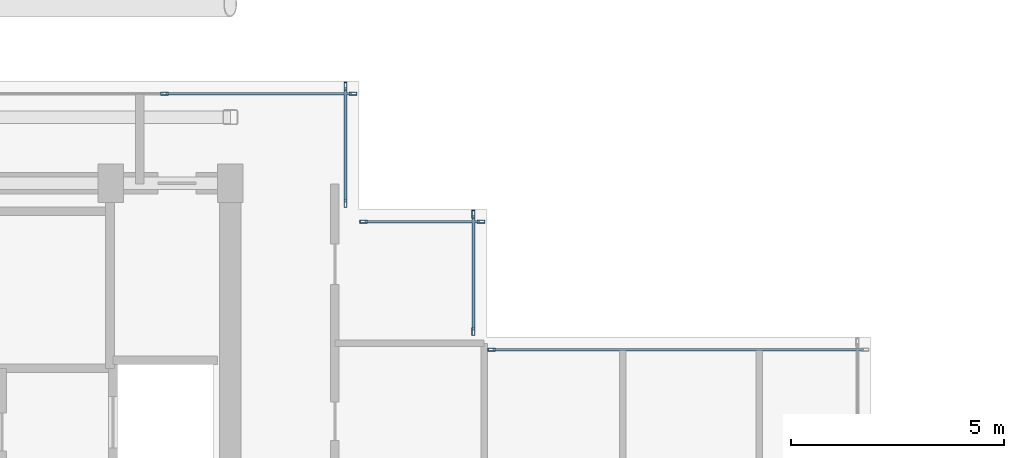
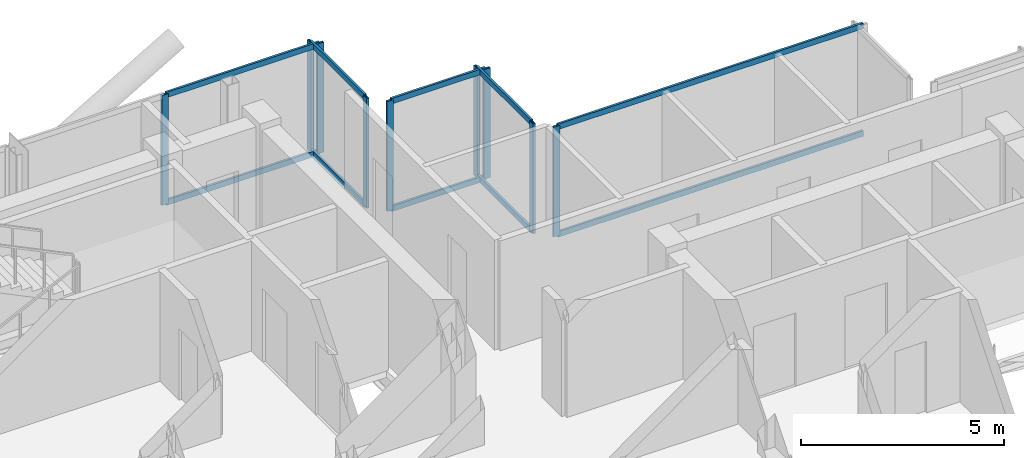
# One storey, part 10 of 18: 19 members, 5 elements without a shape of their own.
"""IFC4 building model written with IfcOpenShell, lengths in metres."""

from ifc_helpers import new_model, si_unit, direction, frame, origin, origin_2d, place, context, subcontext, project, spatial, hollow_rectangle, extrude, material, layer, layer_set, material_profile, profile_set, type_object, element, aggregate, save


model = new_model("IFC4")

# Units and contexts
model_context = context("Model", 3, precision=1e-05, world=origin(), true_north=direction((0.0, 1.0)))
body_context = subcontext(model_context, "Body", "Model", "MODEL_VIEW")
ifc_project = project(units=[si_unit("LENGTHUNIT", "METRE"), si_unit("AREAUNIT", "SQUARE_METRE"), si_unit("VOLUMEUNIT", "CUBIC_METRE"), si_unit("PLANEANGLEUNIT", "RADIAN"), si_unit("MASSUNIT", "GRAM", prefix="KILO"), si_unit("THERMODYNAMICTEMPERATUREUNIT", "KELVIN"), si_unit("POWERUNIT", "WATT")], contexts=[model_context])

# Site, building, storey
site_placement = place(None, origin())
site = spatial("IfcSite", under=ifc_project, at=site_placement, CompositionType="ELEMENT")
building_placement = place(site_placement, origin())
building = spatial("IfcBuilding", under=site, at=building_placement, Name="Svarakhadi Broadcast Tower", CompositionType="ELEMENT")
storey_placement = place(building_placement, frame((0.0, 0.0, 274.699951171875)))
storey = spatial("IfcBuildingStorey", under=building, at=storey_placement, Name="L69", CompositionType="ELEMENT", Elevation=274.699951171875)

# Curtain wall, members
ifc_material = material(Name="Anodised Bronze Aluminium AA 6063-T6", Category="aluminium")
ifc_layer = layer(ifc_material, 0.179931640625)
ifc_layer_set = layer_set([ifc_layer], Name="Anodised Bronze Aluminium AA 6063-T6")
curtain_wall_type = type_object("IfcCurtainWallType", Name="CW_Sys_05", PredefinedType="NOTDEFINED", material=ifc_layer_set)
curtain_wall_1_placement = place(storey_placement, origin())
curtain_wall_1 = element("IfcCurtainWall", 1, at=curtain_wall_1_placement, inside=storey, type_object=curtain_wall_type, Name="L69 Unitised Facade Curtain Wall 05", PredefinedType="NOTDEFINED")
ifc_material_profile_1 = material_profile(ifc_material, hollow_rectangle(XDim=0.070068359375, YDim=0.179931640625, WallThickness=0.005615234375, at=origin_2d()), Name="ALU MULLION 180x70x6")
ifc_profile_set_1 = profile_set([ifc_material_profile_1], Name="Anodised Bronze Aluminium AA 6063-T6")
member_type_1 = type_object("IfcMemberType", Name="CW_Sys_05_Mul", PredefinedType="MULLION", material=ifc_profile_set_1)
member_1_placement = place(storey_placement, frame((16.455078125, 29.699951171875, 0.0), z_axis=(0.0, 0.0, 1.0), x_axis=(0.0, 1.0, 0.0)))
member_1 = element("IfcMember", 2, at=member_1_placement, type_object=member_type_1, Name="CW-05 mullion 4", PredefinedType="MULLION", context=body_context, shape_type="SweptSolid", body=[
    extrude(hollow_rectangle(XDim=0.070068359375, YDim=0.179931640625, WallThickness=0.005615234375, at=origin_2d()), origin(), (0.0, 0.0, 1.0), 3.300048828125),
])
member_2_placement = place(storey_placement, frame((20.875, 29.699951171875, 0.0), z_axis=(0.0, 0.0, 1.0), x_axis=(0.0, 1.0, 0.0)))
member_2 = element("IfcMember", 3, at=member_2_placement, type_object=member_type_1, Name="CW-05 mullion 5", PredefinedType="MULLION", context=body_context, shape_type="SweptSolid", body=[
    extrude(hollow_rectangle(XDim=0.070068359375, YDim=0.179931640625, WallThickness=0.005615234375, at=origin_2d()), origin(), (0.0, 0.0, 1.0), 3.300048828125),
])

curtain_wall_2_placement = place(storey_placement, origin())
curtain_wall_2 = element("IfcCurtainWall", 4, at=curtain_wall_2_placement, inside=storey, type_object=curtain_wall_type, Name="L69 Unitised Facade Curtain Wall 06", PredefinedType="NOTDEFINED")
member_3_placement = place(storey_placement, frame((20.699951171875, 29.875, 0.0), z_axis=(0.0, 0.0, 1.0), x_axis=(1.0, 0.0, 0.0)))
member_3 = element("IfcMember", 5, at=member_3_placement, type_object=member_type_1, Name="CW-05 mullion 1", PredefinedType="MULLION", context=body_context, shape_type="SweptSolid", body=[
    extrude(hollow_rectangle(XDim=0.070068359375, YDim=0.179931640625, WallThickness=0.005615234375, at=origin_2d()), origin(), (0.0, 0.0, 1.0), 3.300048828125),
])
member_4_placement = place(storey_placement, frame((20.699951171875, 27.125, 0.0), z_axis=(0.0, 0.0, 1.0), x_axis=(1.0, 0.0, 0.0)))
member_4 = element("IfcMember", 6, at=member_4_placement, type_object=member_type_1, Name="CW-05 mullion 2", PredefinedType="MULLION", context=body_context, shape_type="SweptSolid", body=[
    extrude(hollow_rectangle(XDim=0.070068359375, YDim=0.179931640625, WallThickness=0.005615234375, at=origin_2d()), origin(), (0.0, 0.0, 1.0), 3.300048828125),
])

curtain_wall_3_placement = place(storey_placement, origin())
curtain_wall_3 = element("IfcCurtainWall", 7, at=curtain_wall_3_placement, inside=storey, type_object=curtain_wall_type, Name="L69 Unitised Facade Curtain Wall 07", PredefinedType="NOTDEFINED")
member_5_placement = place(storey_placement, frame((21.125, 26.699951171875, 0.0), z_axis=(0.0, 0.0, 1.0), x_axis=(0.0, 1.0, 0.0)))
member_5 = element("IfcMember", 8, at=member_5_placement, type_object=member_type_1, Name="CW-05 mullion 1", PredefinedType="MULLION", context=body_context, shape_type="SweptSolid", body=[
    extrude(hollow_rectangle(XDim=0.070068359375, YDim=0.179931640625, WallThickness=0.005615234375, at=origin_2d()), origin(), (0.0, 0.0, 1.0), 3.300048828125),
])
member_6_placement = place(storey_placement, frame((23.875, 26.699951171875, 0.0), z_axis=(0.0, 0.0, 1.0), x_axis=(0.0, 1.0, 0.0)))
member_6 = element("IfcMember", 9, at=member_6_placement, type_object=member_type_1, Name="CW-05 mullion 2", PredefinedType="MULLION", context=body_context, shape_type="SweptSolid", body=[
    extrude(hollow_rectangle(XDim=0.070068359375, YDim=0.179931640625, WallThickness=0.005615234375, at=origin_2d()), origin(), (0.0, 0.0, 1.0), 3.300048828125),
])

curtain_wall_4_placement = place(storey_placement, origin())
curtain_wall_4 = element("IfcCurtainWall", 10, at=curtain_wall_4_placement, inside=storey, type_object=curtain_wall_type, Name="L69 Unitised Facade Curtain Wall 08", PredefinedType="NOTDEFINED")
member_7_placement = place(storey_placement, frame((23.699951171875, 26.875, 0.0), z_axis=(0.0, 0.0, 1.0), x_axis=(1.0, 0.0, 0.0)))
member_7 = element("IfcMember", 11, at=member_7_placement, type_object=member_type_1, Name="CW-05 mullion 1", PredefinedType="MULLION", context=body_context, shape_type="SweptSolid", body=[
    extrude(hollow_rectangle(XDim=0.070068359375, YDim=0.179931640625, WallThickness=0.005615234375, at=origin_2d()), origin(), (0.0, 0.0, 1.0), 3.300048828125),
])
member_8_placement = place(storey_placement, frame((23.699951171875, 24.125, 0.0), z_axis=(0.0, 0.0, 1.0), x_axis=(1.0, 0.0, 0.0)))
member_8 = element("IfcMember", 12, at=member_8_placement, type_object=member_type_1, Name="CW-05 mullion 2", PredefinedType="MULLION", context=body_context, shape_type="SweptSolid", body=[
    extrude(hollow_rectangle(XDim=0.070068359375, YDim=0.179931640625, WallThickness=0.005615234375, at=origin_2d()), origin(), (0.0, 0.0, 1.0), 3.300048828125),
])

# Curtain wall, member
curtain_wall_5_placement = place(storey_placement, origin())
curtain_wall_5 = element("IfcCurtainWall", 13, at=curtain_wall_5_placement, inside=storey, type_object=curtain_wall_type, Name="L69 Unitised Facade Curtain Wall 09", PredefinedType="NOTDEFINED")
member_9_placement = place(storey_placement, frame((24.125, 23.699951171875, 0.0), z_axis=(0.0, 0.0, 1.0), x_axis=(0.0, 1.0, 0.0)))
member_9 = element("IfcMember", 14, at=member_9_placement, type_object=member_type_1, Name="CW-05 mullion 1", PredefinedType="MULLION", context=body_context, shape_type="SweptSolid", body=[
    extrude(hollow_rectangle(XDim=0.070068359375, YDim=0.179931640625, WallThickness=0.005615234375, at=origin_2d()), origin(), (0.0, 0.0, 1.0), 3.300048828125),
])

# Member
ifc_material_profile_2 = material_profile(ifc_material, hollow_rectangle(XDim=0.06494140625, YDim=0.1650390625, WallThickness=0.0048828125, at=origin_2d()), Name="ALU TRANSOM 165x65x5")
ifc_profile_set_2 = profile_set([ifc_material_profile_2], Name="Anodised Bronze Aluminium AA 6063-T6")
member_type_2 = type_object("IfcMemberType", Name="CW_Sys_05_Trn", PredefinedType="USERDEFINED", material=ifc_profile_set_2)
member_10_placement = place(storey_placement, frame((16.489990234375, 29.699951171875, 0.032470703125), z_axis=(1.0, 0.0, 0.0), x_axis=(0.0, 1.0, 0.0)))
member_10 = element("IfcMember", 15, at=member_10_placement, type_object=member_type_2, Name="CW-05 transom 4.1", ObjectType="TRANSOM", PredefinedType="USERDEFINED", context=body_context, shape_type="SweptSolid", body=[
    extrude(hollow_rectangle(XDim=0.06494140625, YDim=0.1650390625, WallThickness=0.0048828125, at=origin_2d()), origin(), (0.0, 0.0, 1.0), 4.35009765625),
])

member_11_placement = place(storey_placement, frame((16.489990234375, 29.699951171875, 3.267578125), z_axis=(1.0, 0.0, 0.0), x_axis=(0.0, 1.0, 0.0)))
member_11 = element("IfcMember", 16, at=member_11_placement, type_object=member_type_2, Name="CW-05 transom 4.2", ObjectType="TRANSOM", PredefinedType="USERDEFINED", context=body_context, shape_type="SweptSolid", body=[
    extrude(hollow_rectangle(XDim=0.06494140625, YDim=0.1650390625, WallThickness=0.0048828125, at=origin_2d()), origin(), (0.0, 0.0, 1.0), 4.35009765625),
])

aggregate(curtain_wall_1, [member_1, member_2, member_10, member_11])

member_12_placement = place(storey_placement, frame((20.699951171875, 29.840087890625, 0.032470703125), z_axis=(0.0, -1.0, 0.0), x_axis=(1.0, 0.0, 0.0)))
member_12 = element("IfcMember", 17, at=member_12_placement, type_object=member_type_2, Name="CW-05 transom 1.1", ObjectType="TRANSOM", PredefinedType="USERDEFINED", context=body_context, shape_type="SweptSolid", body=[
    extrude(hollow_rectangle(XDim=0.06494140625, YDim=0.1650390625, WallThickness=0.0048828125, at=origin_2d()), origin(), (0.0, 0.0, 1.0), 2.68017578125),
])

member_13_placement = place(storey_placement, frame((20.699951171875, 29.840087890625, 3.267578125), z_axis=(0.0, -1.0, 0.0), x_axis=(1.0, 0.0, 0.0)))
member_13 = element("IfcMember", 18, at=member_13_placement, type_object=member_type_2, Name="CW-05 transom 1.2", ObjectType="TRANSOM", PredefinedType="USERDEFINED", context=body_context, shape_type="SweptSolid", body=[
    extrude(hollow_rectangle(XDim=0.06494140625, YDim=0.1650390625, WallThickness=0.0048828125, at=origin_2d()), origin(), (0.0, 0.0, 1.0), 2.68017578125),
])

aggregate(curtain_wall_2, [member_3, member_4, member_12, member_13])

member_14_placement = place(storey_placement, frame((21.159912109375, 26.699951171875, 0.032470703125), z_axis=(1.0, 0.0, 0.0), x_axis=(0.0, 1.0, 0.0)))
member_14 = element("IfcMember", 19, at=member_14_placement, type_object=member_type_2, Name="CW-05 transom 1.1", ObjectType="TRANSOM", PredefinedType="USERDEFINED", context=body_context, shape_type="SweptSolid", body=[
    extrude(hollow_rectangle(XDim=0.06494140625, YDim=0.1650390625, WallThickness=0.0048828125, at=origin_2d()), origin(), (0.0, 0.0, 1.0), 2.68017578125),
])

member_15_placement = place(storey_placement, frame((21.159912109375, 26.699951171875, 3.267578125), z_axis=(1.0, 0.0, 0.0), x_axis=(0.0, 1.0, 0.0)))
member_15 = element("IfcMember", 20, at=member_15_placement, type_object=member_type_2, Name="CW-05 transom 1.2", ObjectType="TRANSOM", PredefinedType="USERDEFINED", context=body_context, shape_type="SweptSolid", body=[
    extrude(hollow_rectangle(XDim=0.06494140625, YDim=0.1650390625, WallThickness=0.0048828125, at=origin_2d()), origin(), (0.0, 0.0, 1.0), 2.68017578125),
])

aggregate(curtain_wall_3, [member_5, member_6, member_14, member_15])

member_16_placement = place(storey_placement, frame((23.699951171875, 26.840087890625, 0.032470703125), z_axis=(0.0, -1.0, 0.0), x_axis=(1.0, 0.0, 0.0)))
member_16 = element("IfcMember", 21, at=member_16_placement, type_object=member_type_2, Name="CW-05 transom 1.1", ObjectType="TRANSOM", PredefinedType="USERDEFINED", context=body_context, shape_type="SweptSolid", body=[
    extrude(hollow_rectangle(XDim=0.06494140625, YDim=0.1650390625, WallThickness=0.0048828125, at=origin_2d()), origin(), (0.0, 0.0, 1.0), 2.68017578125),
])

member_17_placement = place(storey_placement, frame((23.699951171875, 26.840087890625, 3.267578125), z_axis=(0.0, -1.0, 0.0), x_axis=(1.0, 0.0, 0.0)))
member_17 = element("IfcMember", 22, at=member_17_placement, type_object=member_type_2, Name="CW-05 transom 1.2", ObjectType="TRANSOM", PredefinedType="USERDEFINED", context=body_context, shape_type="SweptSolid", body=[
    extrude(hollow_rectangle(XDim=0.06494140625, YDim=0.1650390625, WallThickness=0.0048828125, at=origin_2d()), origin(), (0.0, 0.0, 1.0), 2.68017578125),
])

aggregate(curtain_wall_4, [member_7, member_8, member_16, member_17])

member_18_placement = place(storey_placement, frame((24.159912109375, 23.699951171875, 0.032470703125), z_axis=(1.0, 0.0, 0.0), x_axis=(0.0, 1.0, 0.0)))
member_18 = element("IfcMember", 23, at=member_18_placement, type_object=member_type_2, Name="CW-05 transom 1.1", ObjectType="TRANSOM", PredefinedType="USERDEFINED", context=body_context, shape_type="SweptSolid", body=[
    extrude(hollow_rectangle(XDim=0.06494140625, YDim=0.1650390625, WallThickness=0.0048828125, at=origin_2d()), origin(), (0.0, 0.0, 1.0), 8.68017578125),
])

member_19_placement = place(storey_placement, frame((24.159912109375, 23.699951171875, 3.267578125), z_axis=(1.0, 0.0, 0.0), x_axis=(0.0, 1.0, 0.0)))
member_19 = element("IfcMember", 24, at=member_19_placement, type_object=member_type_2, Name="CW-05 transom 1.2", ObjectType="TRANSOM", PredefinedType="USERDEFINED", context=body_context, shape_type="SweptSolid", body=[
    extrude(hollow_rectangle(XDim=0.06494140625, YDim=0.1650390625, WallThickness=0.0048828125, at=origin_2d()), origin(), (0.0, 0.0, 1.0), 8.68017578125),
])

aggregate(curtain_wall_5, [member_9, member_18, member_19])

save(model, "model.ifc")
